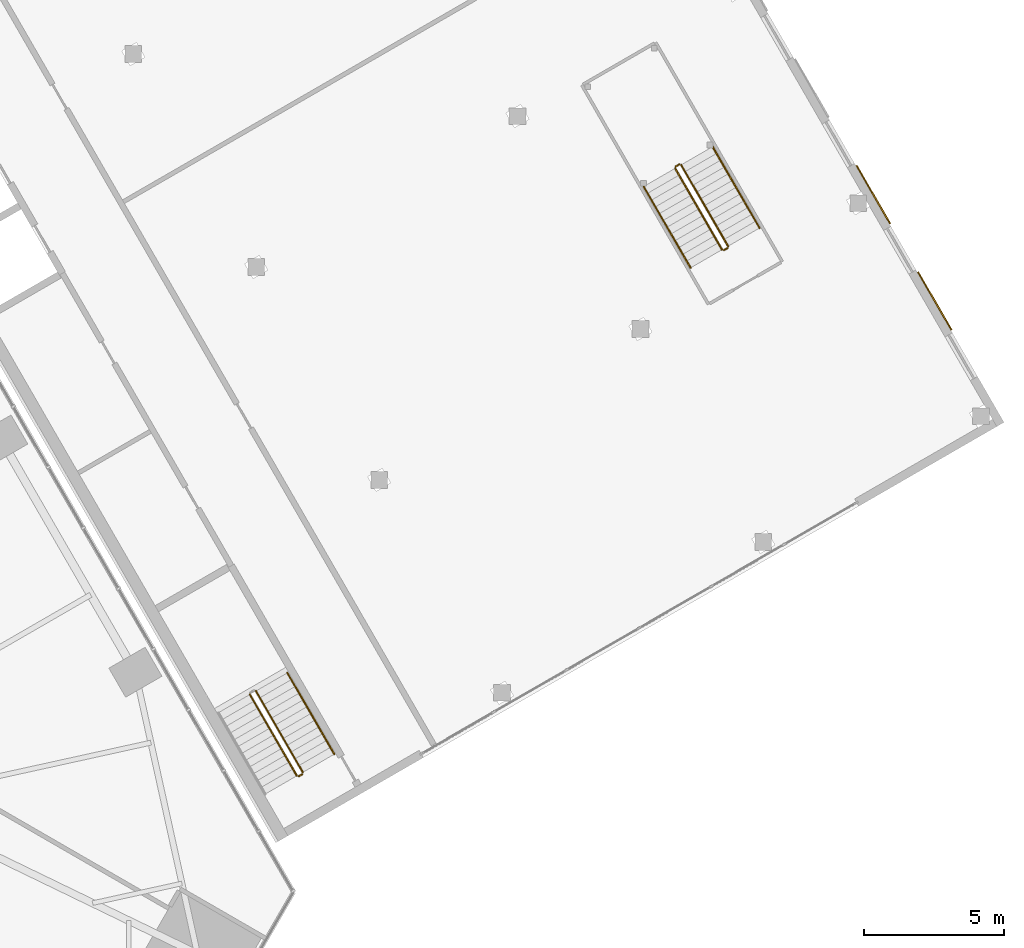
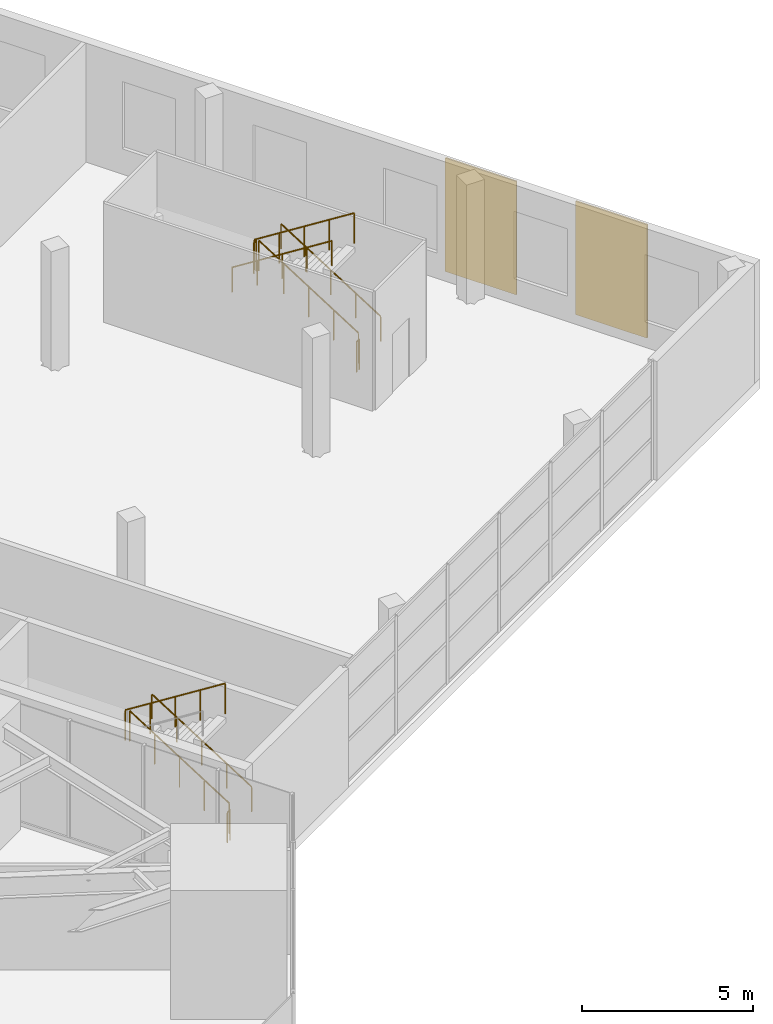
# One storey, part 27 of 29: 10 railings, 2 coverings.
"""IFC4 building model written with IfcOpenShell, lengths in metres."""

from ifc_helpers import new_model, si_unit, direction, frame, origin, origin_2d, place, context, subcontext, project, spatial, rectangle, circle, extrude, material, layer, layer_set, type_object, element, save


model = new_model("IFC4")

# Units and contexts
model_context = context("Model", 3, precision=1e-05, world=origin(), true_north=direction((0.0, 1.0)))
body_context = subcontext(model_context, "Body", "Model", "MODEL_VIEW")
ifc_project = project(units=[si_unit("LENGTHUNIT", "METRE"), si_unit("AREAUNIT", "SQUARE_METRE"), si_unit("VOLUMEUNIT", "CUBIC_METRE"), si_unit("PLANEANGLEUNIT", "RADIAN"), si_unit("MASSUNIT", "GRAM", prefix="KILO")], contexts=[model_context])

# Site, building, storey
site_placement = place(None, origin())
site = spatial("IfcSite", under=ifc_project, at=site_placement, CompositionType="ELEMENT")
building_placement = place(site_placement, origin())
building = spatial("IfcBuilding", under=site, at=building_placement, Name="Firuza Gate Tower and Library", CompositionType="ELEMENT")
storey_placement = place(building_placement, frame((0.0, 0.0, 17.199951171875)))
storey = spatial("IfcBuildingStorey", under=building, at=storey_placement, Name="L03", CompositionType="ELEMENT", Elevation=17.199951171875)

# Railings
ifc_material_1 = material(Name="Steel S355", Category="steel")
railing_type_1 = type_object("IfcRailingType", Name="LIB GUARD", PredefinedType="GUARDRAIL", material=ifc_material_1)
railing_1_placement = place(storey_placement, frame((107.815185546875, 64.73193359375, 0.177001953125)))
element("IfcRailing", 1, at=railing_1_placement, inside=storey, type_object=railing_type_1, Name="L03 LIB-ST-B stair guard 1", PredefinedType="GUARDRAIL", context=body_context, shape_type="SweptSolid", body=[
    extrude(circle(Radius=0.02392578125, at=origin_2d()), frame((0.0, 0.0, 1.076171875), z_axis=(-0.422741098572, 0.732087825164, 0.534169804298), x_axis=(-0.865989548921, -0.500062097304, 0.0)), (0.0, 0.0, 1.0), 3.974365234375),
    extrude(circle(Radius=0.02099609375, at=origin_2d()), origin(), (0.0, 0.0, 1.0), 1.052001953125),
    extrude(circle(Radius=0.02099609375, at=origin_2d()), frame((-0.419921875, 0.7275390625, 0.53076171875)), (0.0, 0.0, 1.0), 1.052001953125),
    extrude(circle(Radius=0.02099609375, at=origin_2d()), frame((-0.840087890625, 1.454833984375, 1.0615234375)), (0.0, 0.0, 1.0), 1.052001953125),
    extrude(circle(Radius=0.02099609375, at=origin_2d()), frame((-1.26025390625, 2.18212890625, 1.59228515625)), (0.0, 0.0, 1.0), 1.052001953125),
    extrude(circle(Radius=0.02099609375, at=origin_2d()), frame((-1.68017578125, 2.90966796875, 2.123046875)), (0.0, 0.0, 1.0), 1.052001953125),
])
railing_2_placement = place(storey_placement, frame((105.91845703125, 67.5166015625, 2.47705078125)))
element("IfcRailing", 2, at=railing_2_placement, inside=storey, type_object=railing_type_1, Name="L03 LIB-ST-B stair guard 3", PredefinedType="GUARDRAIL", context=body_context, shape_type="SweptSolid", body=[
    extrude(circle(Radius=0.02392578125, at=origin_2d()), frame((0.0, 0.0, 1.076171875), z_axis=(0.422741098572, -0.732087825164, 0.534169804298), x_axis=(0.865989548921, 0.500062097304, 0.0)), (0.0, 0.0, 1.0), 3.974365234375),
    extrude(circle(Radius=0.02099609375, at=origin_2d()), origin(), (0.0, 0.0, 1.0), 1.052001953125),
    extrude(circle(Radius=0.02099609375, at=origin_2d()), frame((0.419921875, -0.7275390625, 0.53076171875)), (0.0, 0.0, 1.0), 1.052001953125),
    extrude(circle(Radius=0.02099609375, at=origin_2d()), frame((0.840087890625, -1.454833984375, 1.0615234375)), (0.0, 0.0, 1.0), 1.052001953125),
    extrude(circle(Radius=0.02099609375, at=origin_2d()), frame((1.26025390625, -2.18212890625, 1.59228515625)), (0.0, 0.0, 1.0), 1.052001953125),
    extrude(circle(Radius=0.02099609375, at=origin_2d()), frame((1.68017578125, -2.90966796875, 2.123046875)), (0.0, 0.0, 1.0), 1.052001953125),
])
railing_3_placement = place(storey_placement, frame((107.796875, 64.66357421875, 0.0)))
element("IfcRailing", 3, at=railing_3_placement, inside=storey, type_object=railing_type_1, Name="L03 LIB-ST-B stair guard 4", PredefinedType="GUARDRAIL", context=body_context, shape_type="SweptSolid", body=[
    extrude(circle(Radius=0.02392578125, at=origin_2d()), frame((0.0, 0.0, 1.076171875), z_axis=(-0.866537231285, -0.499112439033, 0.0), x_axis=(0.499112439033, -0.866537231285, 0.0)), (0.0, 0.0, 1.0), 0.150146484375),
    extrude(circle(Radius=0.02099609375, at=origin_2d()), origin(), (0.0, 0.0, 1.0), 1.052001953125),
    extrude(circle(Radius=0.02099609375, at=origin_2d()), frame((-0.130126953125, -0.074951171875, 0.0)), (0.0, 0.0, 1.0), 1.052001953125),
])
railing_4_placement = place(storey_placement, frame((123.037353515625, 83.566162109375, 0.177001953125)))
element("IfcRailing", 4, at=railing_4_placement, inside=storey, type_object=railing_type_1, Name="L03 LIB-ST-C stair guard 1", PredefinedType="GUARDRAIL", context=body_context, shape_type="SweptSolid", body=[
    extrude(circle(Radius=0.02392578125, at=origin_2d()), frame((0.0, 0.0, 1.076171875), z_axis=(-0.422722088385, 0.732116328315, 0.534145783289), x_axis=(-0.866007717299, -0.500030632641, 0.0)), (0.0, 0.0, 1.0), 3.974609375),
    extrude(circle(Radius=0.02099609375, at=origin_2d()), origin(), (0.0, 0.0, 1.0), 1.052001953125),
    extrude(circle(Radius=0.02099609375, at=origin_2d()), frame((-0.419921875, 0.7275390625, 0.53076171875)), (0.0, 0.0, 1.0), 1.052001953125),
    extrude(circle(Radius=0.02099609375, at=origin_2d()), frame((-0.840087890625, 1.455078125, 1.0615234375)), (0.0, 0.0, 1.0), 1.052001953125),
    extrude(circle(Radius=0.02099609375, at=origin_2d()), frame((-1.26025390625, 2.182373046875, 1.59228515625)), (0.0, 0.0, 1.0), 1.052001953125),
    extrude(circle(Radius=0.02099609375, at=origin_2d()), frame((-1.68017578125, 2.909912109375, 2.123046875)), (0.0, 0.0, 1.0), 1.052001953125),
])
railing_5_placement = place(storey_placement, frame((121.2890625, 86.494384765625, 2.300048828125)))
element("IfcRailing", 5, at=railing_5_placement, inside=storey, type_object=railing_type_1, Name="L03 LIB-ST-C stair guard 2", PredefinedType="GUARDRAIL", context=body_context, shape_type="SweptSolid", body=[
    extrude(circle(Radius=0.02392578125, at=origin_2d()), frame((0.0, 0.0, 1.076171875), z_axis=(-0.866131372301, -0.499816412211, 0.0), x_axis=(0.499816412211, -0.866131372301, 0.0)), (0.0, 0.0, 1.0), 0.14990234375),
    extrude(circle(Radius=0.02099609375, at=origin_2d()), origin(), (0.0, 0.0, 1.0), 1.052001953125),
    extrude(circle(Radius=0.02099609375, at=origin_2d()), frame((-0.1298828125, -0.074951171875, 0.0)), (0.0, 0.0, 1.0), 1.052001953125),
])
railing_6_placement = place(storey_placement, frame((121.140869140625, 86.35107421875, 2.47705078125)))
element("IfcRailing", 6, at=railing_6_placement, inside=storey, type_object=railing_type_1, Name="L03 LIB-ST-C stair guard 3", PredefinedType="GUARDRAIL", context=body_context, shape_type="SweptSolid", body=[
    extrude(circle(Radius=0.02392578125, at=origin_2d()), frame((0.0, 0.0, 1.076171875), z_axis=(0.422671638265, -0.732135337376, 0.534159652137), x_axis=(0.866039179741, 0.499976138585, 0.0)), (0.0, 0.0, 1.0), 3.974609375),
    extrude(circle(Radius=0.02099609375, at=origin_2d()), origin(), (0.0, 0.0, 1.0), 1.052001953125),
    extrude(circle(Radius=0.02099609375, at=origin_2d()), frame((0.419921875, -0.7275390625, 0.53076171875)), (0.0, 0.0, 1.0), 1.052001953125),
    extrude(circle(Radius=0.02099609375, at=origin_2d()), frame((0.83984375, -1.455078125, 1.0615234375)), (0.0, 0.0, 1.0), 1.052001953125),
    extrude(circle(Radius=0.02099609375, at=origin_2d()), frame((1.260009765625, -2.182373046875, 1.59228515625)), (0.0, 0.0, 1.0), 1.052001953125),
    extrude(circle(Radius=0.02099609375, at=origin_2d()), frame((1.679931640625, -2.909912109375, 2.123046875)), (0.0, 0.0, 1.0), 1.052001953125),
])
railing_7_placement = place(storey_placement, frame((123.01904296875, 83.498046875, 0.0)))
element("IfcRailing", 7, at=railing_7_placement, inside=storey, type_object=railing_type_1, Name="L03 LIB-ST-C stair guard 4", PredefinedType="GUARDRAIL", context=body_context, shape_type="SweptSolid", body=[
    extrude(circle(Radius=0.02392578125, at=origin_2d()), frame((0.0, 0.0, 1.076171875), z_axis=(-0.865426285481, -0.501036270542, 0.0), x_axis=(0.501036270542, -0.865426285481, 0.0)), (0.0, 0.0, 1.0), 0.150146484375),
    extrude(circle(Radius=0.02099609375, at=origin_2d()), origin(), (0.0, 0.0, 1.0), 1.052001953125),
    extrude(circle(Radius=0.02099609375, at=origin_2d()), frame((-0.1298828125, -0.0751953125, 0.0)), (0.0, 0.0, 1.0), 1.052001953125),
])
ifc_material_2 = material(Name="Steel S355", Category="steel")
railing_type_2 = type_object("IfcRailingType", Name="LIB HANDRAIL", PredefinedType="HANDRAIL", material=ifc_material_2)
railing_8_placement = place(storey_placement, frame((108.94091796875, 65.3818359375, 0.177001953125)))
element("IfcRailing", 8, at=railing_8_placement, inside=storey, type_object=railing_type_2, Name="L03 LIB-ST-B stair handrail 1", PredefinedType="HANDRAIL", context=body_context, shape_type="SweptSolid", body=[
    extrude(circle(Radius=0.02392578125, at=origin_2d()), frame((0.0, 0.0, 0.8759765625), z_axis=(-0.422671638265, 0.732135337376, 0.534159652137), x_axis=(-0.866039179741, -0.499976138585, 0.0)), (0.0, 0.0, 1.0), 3.974609375),
    extrude(circle(Radius=0.02099609375, at=origin_2d()), origin(), (0.0, 0.0, 1.0), 0.851806640625),
    extrude(circle(Radius=0.02099609375, at=origin_2d()), frame((-0.419921875, 0.7275390625, 0.53076171875)), (0.0, 0.0, 1.0), 0.851806640625),
    extrude(circle(Radius=0.02099609375, at=origin_2d()), frame((-0.83984375, 1.455078125, 1.0615234375)), (0.0, 0.0, 1.0), 0.851806640625),
    extrude(circle(Radius=0.02099609375, at=origin_2d()), frame((-1.260009765625, 2.182373046875, 1.59228515625)), (0.0, 0.0, 1.0), 0.851806640625),
    extrude(circle(Radius=0.02099609375, at=origin_2d()), frame((-1.679931640625, 2.909912109375, 2.123046875)), (0.0, 0.0, 1.0), 0.851806640625),
])
railing_9_placement = place(storey_placement, frame((124.1630859375, 84.21630859375, 0.177001953125)))
element("IfcRailing", 9, at=railing_9_placement, inside=storey, type_object=railing_type_2, Name="L03 LIB-ST-C stair handrail 1", PredefinedType="HANDRAIL", context=body_context, shape_type="SweptSolid", body=[
    extrude(circle(Radius=0.02392578125, at=origin_2d()), frame((0.0, 0.0, 0.8759765625), z_axis=(-0.42269064717, 0.732106835195, 0.534183675017), x_axis=(-0.866021014662, -0.500007602105, 0.0)), (0.0, 0.0, 1.0), 3.974365234375),
    extrude(circle(Radius=0.02099609375, at=origin_2d()), origin(), (0.0, 0.0, 1.0), 0.851806640625),
    extrude(circle(Radius=0.02099609375, at=origin_2d()), frame((-0.419921875, 0.7275390625, 0.53076171875)), (0.0, 0.0, 1.0), 0.851806640625),
    extrude(circle(Radius=0.02099609375, at=origin_2d()), frame((-0.83984375, 1.454833984375, 1.0615234375)), (0.0, 0.0, 1.0), 0.851806640625),
    extrude(circle(Radius=0.02099609375, at=origin_2d()), frame((-1.260009765625, 2.18212890625, 1.59228515625)), (0.0, 0.0, 1.0), 0.851806640625),
    extrude(circle(Radius=0.02099609375, at=origin_2d()), frame((-1.679931640625, 2.90966796875, 2.123046875)), (0.0, 0.0, 1.0), 0.851806640625),
])
railing_10_placement = place(storey_placement, frame((120.014892578125, 85.701171875, 2.47705078125)))
element("IfcRailing", 10, at=railing_10_placement, inside=storey, type_object=railing_type_2, Name="L03 LIB-ST-C stair handrail 2", PredefinedType="HANDRAIL", context=body_context, shape_type="SweptSolid", body=[
    extrude(circle(Radius=0.02392578125, at=origin_2d()), frame((0.0, 0.0, 0.8759765625), z_axis=(0.422671638265, -0.732135337376, 0.534159652137), x_axis=(0.866039179741, 0.499976138585, 0.0)), (0.0, 0.0, 1.0), 3.974609375),
    extrude(circle(Radius=0.02099609375, at=origin_2d()), origin(), (0.0, 0.0, 1.0), 0.851806640625),
    extrude(circle(Radius=0.02099609375, at=origin_2d()), frame((0.419921875, -0.7275390625, 0.53076171875)), (0.0, 0.0, 1.0), 0.851806640625),
    extrude(circle(Radius=0.02099609375, at=origin_2d()), frame((0.83984375, -1.455078125, 1.0615234375)), (0.0, 0.0, 1.0), 0.851806640625),
    extrude(circle(Radius=0.02099609375, at=origin_2d()), frame((1.260009765625, -2.182373046875, 1.59228515625)), (0.0, 0.0, 1.0), 0.851806640625),
    extrude(circle(Radius=0.02099609375, at=origin_2d()), frame((1.679931640625, -2.909912109375, 2.123046875)), (0.0, 0.0, 1.0), 0.851806640625),
])

# Coverings
ifc_material_3 = material(Name="Turquoise glazed ceramic tile")
ifc_layer_1 = layer(ifc_material_3, 0.050048828125)
ifc_layer_set_1 = layer_set([ifc_layer_1], Name="LIB TILE CLADDING")
covering_type_1 = type_object("IfcCoveringType", Name="LIB TILE CLADDING", PredefinedType="CLADDING", material=ifc_layer_set_1)
covering_1_placement = place(storey_placement, frame((130.435302734375, 81.602294921875, 0.10009765625), z_axis=(0.0, 0.0, 1.0), x_axis=(-0.5, 0.866025403784, 0.0)))
element("IfcCovering", 11, at=covering_1_placement, inside=storey, type_object=covering_type_1, Name="L03 TILE panel 1", PredefinedType="CLADDING", context=body_context, shape_type="SweptSolid", body=[
    extrude(rectangle(XDim=2.39990234375, YDim=0.050048828125, at=origin_2d()), origin(), (0.0, 0.0, 1.0), 4.0400390625),
])
ifc_material_4 = material(Name="Cobalt glazed ceramic tile")
ifc_layer_2 = layer(ifc_material_4, 0.050048828125)
ifc_layer_set_2 = layer_set([ifc_layer_2], Name="LIB TILE CLADDING COBALT")
covering_type_2 = type_object("IfcCoveringType", Name="LIB TILE CLADDING COBALT", PredefinedType="CLADDING", material=ifc_layer_set_2)
covering_2_placement = place(storey_placement, frame((128.2353515625, 85.412841796875, 0.10009765625), z_axis=(0.0, 0.0, 1.0), x_axis=(-0.5, 0.866025403784, 0.0)))
element("IfcCovering", 12, at=covering_2_placement, inside=storey, type_object=covering_type_2, Name="L03 TILE panel 2", PredefinedType="CLADDING", context=body_context, shape_type="SweptSolid", body=[
    extrude(rectangle(XDim=2.39990234375, YDim=0.050048828125, at=origin_2d()), origin(), (0.0, 0.0, 1.0), 4.0400390625),
])

save(model, "model.ifc")
